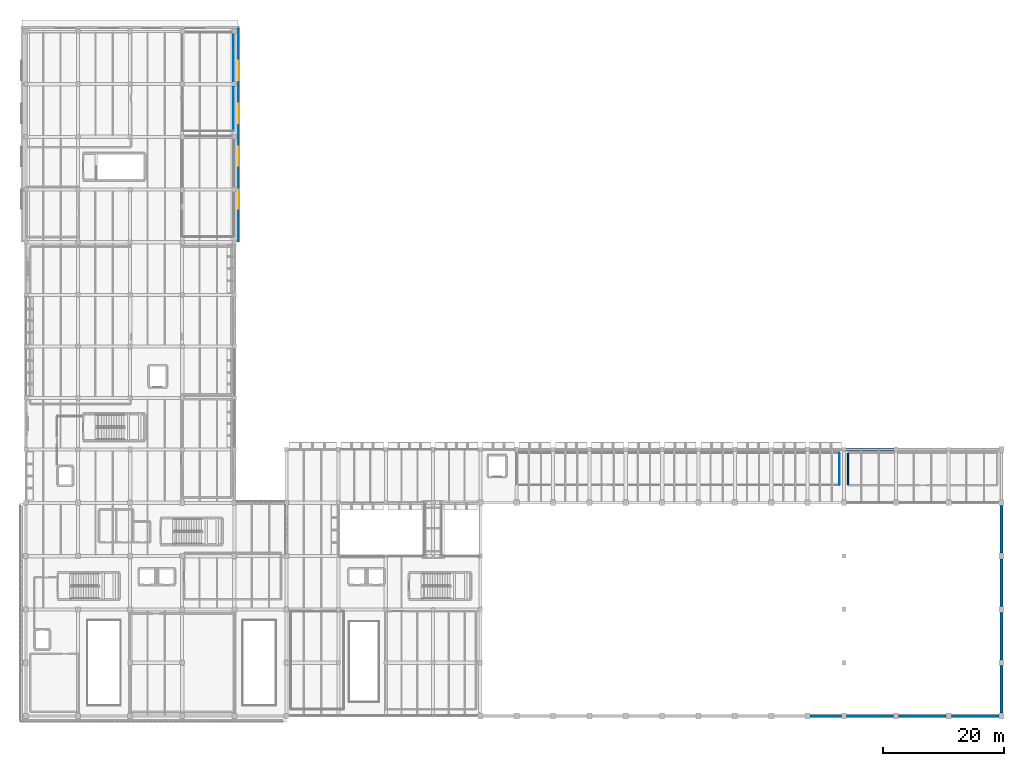
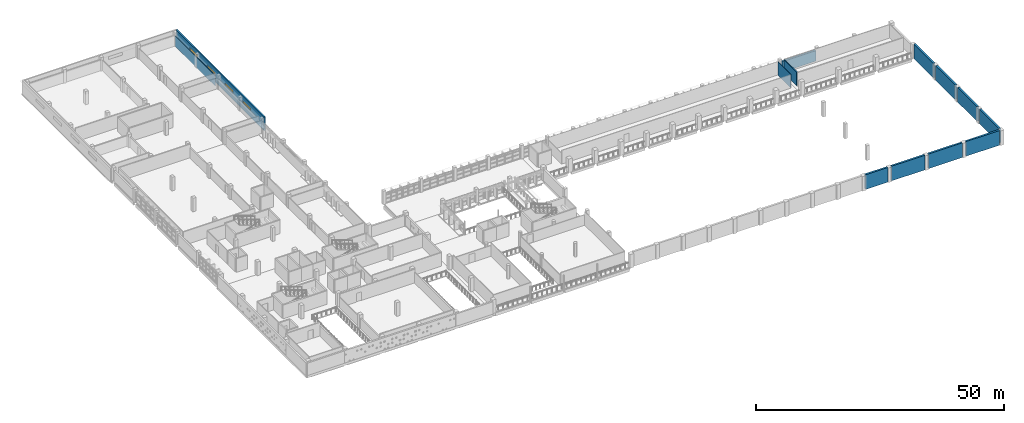
# One storey, part 63 of 75: 13 walls, 4 windows, 4 openings.
"""IFC4 building model written with IfcOpenShell, lengths in metres."""

import ifcopenshell
import ifcopenshell.guid

model = None  # the IFC model being written
_history = None  # IfcOwnerHistory: only IFC2X3 demands one
_inside = {}  # id of a spatial element -> (the spatial element, [elements in it])
_under = {}  # id of a project, library or spatial element -> (it, [spatial elements below it])
_declared = {}  # id of a project -> (the project, [libraries it declares])
_typed = {}  # id of a type object -> (the type object, [elements of that type])
_made_of = {}  # id of a material, layer set ... -> (it, [elements and type objects made of it])


def new_model(schema):
    """Start an empty IFC model of exactly this schema.

    Asked for "IFC4X3", IfcOpenShell would pick the latest addendum, in which some entities
    have other attributes; the version numbers below select the first issue.
    IFC2X3 requires an IfcOwnerHistory on every rooted entity: one is made here for all.
    """
    global model, _history
    if schema == "IFC4X3":
        model = ifcopenshell.file(schema_version=(4, 3, 0, 0))
    else:
        model = ifcopenshell.file(schema=schema)
    _inside.clear()
    _under.clear()
    _declared.clear()
    _typed.clear()
    _made_of.clear()
    _history = None
    if model.schema == "IFC2X3":
        org = make("IfcOrganization", Name="unknown")
        user = make(
            "IfcPersonAndOrganization",
            ThePerson=make("IfcPerson", FamilyName="unknown"),
            TheOrganization=org,
        )
        app = make(
            "IfcApplication",
            ApplicationDeveloper=org,
            Version="unknown",
            ApplicationFullName="unknown",
            ApplicationIdentifier="unknown",
        )
        _history = make(
            "IfcOwnerHistory",
            OwningUser=user,
            OwningApplication=app,
            ChangeAction="ADDED",
            CreationDate=0,
        )
    return model


def make(cls, **values):
    """One entity of the class cls with the attributes given. An attribute that is None is left unset."""
    return model.create_entity(
        cls, **{name: value for name, value in values.items() if value is not None}
    )


def rooted(cls, **values):
    """An entity with a GlobalId (a new one), such as an element, a storey or a relation."""
    return make(cls, GlobalId=ifcopenshell.guid.new(), OwnerHistory=_history, **values)


def si_unit(unit_type, name, prefix=None):
    """IfcSIUnit, for example si_unit("LENGTHUNIT", "METRE", prefix="MILLI")."""
    return make("IfcSIUnit", UnitType=unit_type, Prefix=prefix, Name=name)


def assignment(units):
    """IfcUnitAssignment: the units of a project."""
    return None if units is None else make("IfcUnitAssignment", Units=units)


def point(xyz):
    """IfcCartesianPoint."""
    return None if xyz is None else make("IfcCartesianPoint", Coordinates=xyz)


def direction(xyz):
    """IfcDirection."""
    return None if xyz is None else make("IfcDirection", DirectionRatios=xyz)


def frame(location, z_axis=None, x_axis=None):
    """IfcAxis2Placement3D, a coordinate frame: its origin and axes. An axis left out is left unset."""
    return make(
        "IfcAxis2Placement3D",
        Location=point(location),
        Axis=direction(z_axis),
        RefDirection=direction(x_axis),
    )


def frame_2d(location, x_axis=None):
    """IfcAxis2Placement2D, a coordinate frame in the plane: its origin and x axis."""
    return make(
        "IfcAxis2Placement2D", Location=point(location), RefDirection=direction(x_axis)
    )


def origin():
    """The frame at (0, 0, 0) with its axes left unset."""
    return frame((0.0, 0.0, 0.0))


def place(relative_to, where):
    """IfcLocalPlacement: puts the frame where relative to a parent placement (None: the world)."""
    return make(
        "IfcLocalPlacement", PlacementRelTo=relative_to, RelativePlacement=where
    )


def context(
    kind, dimensions, precision=None, world=None, true_north=None, identifier=None
):
    """IfcGeometricRepresentationContext, for example the 3D "Model" context."""
    return make(
        "IfcGeometricRepresentationContext",
        ContextIdentifier=identifier,
        ContextType=kind,
        CoordinateSpaceDimension=dimensions,
        Precision=precision,
        WorldCoordinateSystem=world,
        TrueNorth=true_north,
    )


def subcontext(parent, identifier, kind, view, scale=None):
    """IfcGeometricRepresentationSubContext, for example "Body" below "Model"."""
    return make(
        "IfcGeometricRepresentationSubContext",
        ContextIdentifier=identifier,
        ContextType=kind,
        ParentContext=parent,
        TargetScale=scale,
        TargetView=view,
    )


def project(units=None, contexts=None):
    """IfcProject with its units and contexts."""
    return rooted(
        "IfcProject",
        Name="project",
        RepresentationContexts=contexts,
        UnitsInContext=assignment(units),
    )


def spatial(cls, under=None, at=None, **own):
    """A site, building, storey or space (cls), placed at a placement, below another one or the project."""
    s = rooted(cls, ObjectPlacement=at, **own)
    if under is not None:
        _under.setdefault(under.id(), (under, []))[1].append(s)
    return s


def profile(cls, at=None, kind="AREA", **sizes):
    """A parametric profile (cls). Its sizes go by their IFC names, for example OverallWidth=200.0."""
    return make(cls, ProfileType=kind, Position=at, **sizes)


def rectangle(**sizes):
    """IfcRectangleProfileDef."""
    return profile("IfcRectangleProfileDef", **sizes)


def extrude(swept, where, along, depth):
    """IfcExtrudedAreaSolid: the profile swept, set in the frame where, extruded along a direction by depth."""
    return make(
        "IfcExtrudedAreaSolid",
        SweptArea=swept,
        Position=where,
        ExtrudedDirection=direction(along),
        Depth=depth,
    )


def shape(context_of_items, identifier, shape_type, items):
    """IfcShapeRepresentation: the items that make up one representation, for example the "Body"."""
    return make(
        "IfcShapeRepresentation",
        ContextOfItems=context_of_items,
        RepresentationIdentifier=identifier,
        RepresentationType=shape_type,
        Items=items,
    )


def material(Name=None, Category=None):
    """IfcMaterial."""
    return make("IfcMaterial", Name=Name, Category=Category)


def layer(
    of_material, thickness, ventilated=None, Name=None, Category=None, Priority=None
):
    """IfcMaterialLayer: one layer of a wall or slab, of a material (None: an air gap)."""
    return make(
        "IfcMaterialLayer",
        Material=of_material,
        LayerThickness=thickness,
        IsVentilated=ventilated,
        Name=Name,
        Category=Category,
        Priority=Priority,
    )


def layer_set(layers, Name=None):
    """IfcMaterialLayerSet."""
    return make("IfcMaterialLayerSet", MaterialLayers=layers, LayerSetName=Name)


def made_of(thing, what):
    """Note that an element or type object is made of a material, layer set ...; save() writes the relation."""
    if what is not None:
        _made_of.setdefault(what.id(), (what, []))[1].append(thing)
    return thing


def type_object(cls, material=None, **own):
    """A type object (cls), such as IfcWallType, which elements share."""
    return made_of(rooted(cls, **own), material)


def element(
    cls,
    number,
    at=None,
    inside=None,
    cuts=None,
    type_object=None,
    material=None,
    context=None,
    identifier="Body",
    shape_type=None,
    held_by="IfcProductDefinitionShape",
    body=None,
    shapes=None,
    **own,
):
    """One element of the class cls, such as IfcWall. Its Tag is "e" and its number.

    at: its placement. inside: the storey or other place that contains it. cuts: it is an
    opening in that element (IfcRelVoidsElement). A single representation is given by context,
    identifier, shape_type and body (its items); several are given by shapes. held_by: the class
    of the entity that holds the representations. save() writes the other relations.
    """
    e = rooted(cls, Tag="e%d" % number, ObjectPlacement=at, **own)
    if body is not None:
        shapes = [shape(context, identifier, shape_type, body)]
    if shapes is not None:
        e.Representation = make(held_by, Representations=shapes)
    if inside is not None:
        _inside.setdefault(inside.id(), (inside, []))[1].append(e)
    if cuts is not None:
        rooted(
            "IfcRelVoidsElement", RelatingBuildingElement=cuts, RelatedOpeningElement=e
        )
    if type_object is not None:
        _typed.setdefault(type_object.id(), (type_object, []))[1].append(e)
    return made_of(e, material)


def fill(opening, filler):
    """IfcRelFillsElement: the door or window that sits in an opening."""
    return rooted(
        "IfcRelFillsElement",
        RelatingOpeningElement=opening,
        RelatedBuildingElement=filler,
    )


def aggregate(whole, parts):
    """IfcRelAggregates: a whole, such as a stair, and the parts it consists of."""
    return rooted("IfcRelAggregates", RelatingObject=whole, RelatedObjects=parts)


def save(model, path):
    """Write the relations noted so far, then the file.

    IfcRelAggregates (storeys below a building ...), IfcRelContainedInSpatialStructure (elements
    in a storey), IfcRelDefinesByType, IfcRelAssociatesMaterial and IfcRelDeclares: one each for
    every whole, place, type object, material and project.
    """
    for whole, parts in _under.values():
        aggregate(whole, parts)
    for where, things in _inside.values():
        rooted(
            "IfcRelContainedInSpatialStructure",
            RelatedElements=things,
            RelatingStructure=where,
        )
    for kind, things in _typed.values():
        rooted("IfcRelDefinesByType", RelatedObjects=things, RelatingType=kind)
    for what, things in _made_of.values():
        rooted("IfcRelAssociatesMaterial", RelatedObjects=things, RelatingMaterial=what)
    for by, libraries in _declared.values():
        rooted("IfcRelDeclares", RelatingContext=by, RelatedDefinitions=libraries)
    model.write(path)


model = new_model("IFC4")

# Units and contexts
model_context = context("Model", 3, precision=1e-05, world=origin(), true_north=direction((0.0, 1.0)))
body_context = subcontext(model_context, "Body", "Model", "MODEL_VIEW")
ifc_project = project(units=[si_unit("LENGTHUNIT", "METRE"), si_unit("AREAUNIT", "SQUARE_METRE"), si_unit("VOLUMEUNIT", "CUBIC_METRE"), si_unit("PLANEANGLEUNIT", "RADIAN"), si_unit("MASSUNIT", "GRAM", prefix="KILO")], contexts=[model_context])

# Site, building, storey
site_placement = place(None, origin())
site = spatial("IfcSite", under=ifc_project, at=site_placement, CompositionType="ELEMENT")
building_placement = place(site_placement, origin())
building = spatial("IfcBuilding", under=site, at=building_placement, Name="Varnakota Cinema and Media Centre", CompositionType="ELEMENT")
storey_placement = place(building_placement, frame((0.0, 0.0, 8.39990234375)))
storey = spatial("IfcBuildingStorey", under=building, at=storey_placement, Name="L02", CompositionType="ELEMENT", Elevation=8.39990234375)

# Wall
ifc_material_1 = material(Name="Autoclaved aerated concrete blockwork", Category="masonry")
ifc_layer_1 = layer(ifc_material_1, 0.2099609375)
ifc_layer_set_1 = layer_set([ifc_layer_1], Name="Autoclaved aerated concrete blockwork")
wall_type_1 = type_object("IfcWallType", Name="W-ACOUST-210", PredefinedType="PARTITIONING", material=ifc_layer_set_1)
wall_1_placement = place(storey_placement, frame((135.695068359375, 38.199951171875, 0.0), z_axis=(0.0, 0.0, 1.0), x_axis=(0.0, 1.0, 0.0)))
element("IfcWall", 1, at=wall_1_placement, inside=storey, type_object=wall_type_1, Name="L02 RWALL-RM-L02-DIMMER W wall", PredefinedType="PARTITIONING", context=body_context, shape_type="SweptSolid", body=[
    extrude(rectangle(XDim=5.199951171875, YDim=0.2099609375, at=frame_2d((2.60009765625, 0.0))), origin(), (0.0, 0.0, 1.0), 3.320068359375),
])

# Wall, openings, windows
ifc_material_2 = material(Name="Concrete M40", Category="concrete")
ifc_layer_2 = layer(ifc_material_2, 0.31005859375)
ifc_layer_set_2 = layer_set([ifc_layer_2], Name="Concrete M40")
wall_type_2 = type_object("IfcWallType", Name="W-EXT-CONC-310", PredefinedType="SOLIDWALL", material=ifc_layer_set_2)
wall_2_placement = place(storey_placement, frame((35.06005859375, 78.199951171875, 0.0), z_axis=(0.0, 0.0, 1.0), x_axis=(0.0, 1.0, 0.0)))
wall_2 = element("IfcWall", 2, at=wall_2_placement, inside=storey, type_object=wall_type_2, Name="L02 V7 plain board-marked concrete wall V7-E", PredefinedType="SOLIDWALL", context=body_context, shape_type="SweptSolid", body=[
    extrude(rectangle(XDim=35.4599609375, YDim=0.31005859375, at=frame_2d((17.72998046875, 0.0))), origin(), (0.0, 0.0, 1.0), 3.340087890625),
])
opening_1_placement = place(wall_2_placement, frame((5.491943359375, 0.0, 1.550048828125)))
opening_1 = element("IfcOpeningElement", 3, at=opening_1_placement, cuts=wall_2, Name="Opening WR01", PredefinedType="OPENING", context=body_context, shape_type="SweptSolid", body=[
    extrude(rectangle(XDim=3.199951171875, YDim=0.699951171875, at=frame_2d((1.60009765625, 0.35009765625))), frame((0.0, 0.155029296875, 0.0), z_axis=(0.0, -1.0, 0.0), x_axis=(1.0, 0.0, 0.0)), (0.0, 0.0, 1.0), 0.31005859375),
])
opening_2_placement = place(wall_2_placement, frame((12.583984375, 0.0, 1.550048828125)))
opening_2 = element("IfcOpeningElement", 4, at=opening_2_placement, cuts=wall_2, Name="Opening WR01", PredefinedType="OPENING", context=body_context, shape_type="SweptSolid", body=[
    extrude(rectangle(XDim=3.199951171875, YDim=0.699951171875, at=frame_2d((1.60009765625, 0.35009765625))), frame((0.0, 0.155029296875, 0.0), z_axis=(0.0, -1.0, 0.0), x_axis=(1.0, 0.0, 0.0)), (0.0, 0.0, 1.0), 0.31005859375),
])
opening_3_placement = place(wall_2_placement, frame((19.676025390625, 0.0, 1.550048828125)))
opening_3 = element("IfcOpeningElement", 5, at=opening_3_placement, cuts=wall_2, Name="Opening WR01", PredefinedType="OPENING", context=body_context, shape_type="SweptSolid", body=[
    extrude(rectangle(XDim=3.199951171875, YDim=0.699951171875, at=frame_2d((1.60009765625, 0.35009765625))), frame((0.0, 0.155029296875, 0.0), z_axis=(0.0, -1.0, 0.0), x_axis=(1.0, 0.0, 0.0)), (0.0, 0.0, 1.0), 0.31005859375),
])
opening_4_placement = place(wall_2_placement, frame((26.76806640625, 0.0, 1.550048828125)))
opening_4 = element("IfcOpeningElement", 6, at=opening_4_placement, cuts=wall_2, Name="Opening WR01", PredefinedType="OPENING", context=body_context, shape_type="SweptSolid", body=[
    extrude(rectangle(XDim=3.199951171875, YDim=0.699951171875, at=frame_2d((1.60009765625, 0.35009765625))), frame((0.0, 0.155029296875, 0.0), z_axis=(0.0, -1.0, 0.0), x_axis=(1.0, 0.0, 0.0)), (0.0, 0.0, 1.0), 0.31005859375),
])
ifc_material_3 = material(Name="Laminated solar-control double glazing", Category="glass")
window_type = type_object("IfcWindowType", Name="WIN-SLOT-320x070", PartitioningType="SINGLE_PANEL", PredefinedType="WINDOW", material=ifc_material_3)
window_1_placement = place(opening_1_placement, origin())
window_1 = element("IfcWindow", 7, at=window_1_placement, inside=storey, type_object=window_type, Name="L02 window WR01", OverallHeight=0.699951171875, OverallWidth=3.199951171875, PartitioningType="SINGLE_PANEL", PredefinedType="WINDOW", context=body_context, shape_type="SweptSolid", body=[
    extrude(rectangle(XDim=3.199951171875, YDim=0.699951171875, at=frame_2d((1.60009765625, 0.35009765625))), frame((0.0, -0.06005859375, 0.0), z_axis=(0.0, -1.0, 0.0), x_axis=(1.0, 0.0, 0.0)), (0.0, 0.0, 1.0), 0.06005859375),
])
fill(opening_1, window_1)
window_2_placement = place(opening_2_placement, origin())
window_2 = element("IfcWindow", 8, at=window_2_placement, inside=storey, type_object=window_type, Name="L02 window WR01", OverallHeight=0.699951171875, OverallWidth=3.199951171875, PartitioningType="SINGLE_PANEL", PredefinedType="WINDOW", context=body_context, shape_type="SweptSolid", body=[
    extrude(rectangle(XDim=3.199951171875, YDim=0.699951171875, at=frame_2d((1.60009765625, 0.35009765625))), frame((0.0, -0.06005859375, 0.0), z_axis=(0.0, -1.0, 0.0), x_axis=(1.0, 0.0, 0.0)), (0.0, 0.0, 1.0), 0.06005859375),
])
fill(opening_2, window_2)
window_3_placement = place(opening_3_placement, origin())
window_3 = element("IfcWindow", 9, at=window_3_placement, inside=storey, type_object=window_type, Name="L02 window WR01", OverallHeight=0.699951171875, OverallWidth=3.199951171875, PartitioningType="SINGLE_PANEL", PredefinedType="WINDOW", context=body_context, shape_type="SweptSolid", body=[
    extrude(rectangle(XDim=3.199951171875, YDim=0.699951171875, at=frame_2d((1.60009765625, 0.35009765625))), frame((0.0, -0.06005859375, 0.0), z_axis=(0.0, -1.0, 0.0), x_axis=(1.0, 0.0, 0.0)), (0.0, 0.0, 1.0), 0.06005859375),
])
fill(opening_3, window_3)
window_4_placement = place(opening_4_placement, origin())
window_4 = element("IfcWindow", 10, at=window_4_placement, inside=storey, type_object=window_type, Name="L02 window WR01", OverallHeight=0.699951171875, OverallWidth=3.199951171875, PartitioningType="SINGLE_PANEL", PredefinedType="WINDOW", context=body_context, shape_type="SweptSolid", body=[
    extrude(rectangle(XDim=3.199951171875, YDim=0.699951171875, at=frame_2d((1.60009765625, 0.35009765625))), frame((0.0, -0.06005859375, 0.0), z_axis=(0.0, -1.0, 0.0), x_axis=(1.0, 0.0, 0.0)), (0.0, 0.0, 1.0), 0.06005859375),
])
fill(opening_4, window_4)

# Walls
ifc_material_4 = material(Name="Deccan grey granite ashlar", Category="masonry")
ifc_layer_3 = layer(ifc_material_4, 0.43994140625)
ifc_layer_set_3 = layer_set([ifc_layer_3], Name="Deccan grey granite ashlar")
wall_type_3 = type_object("IfcWallType", Name="W-EXT-HALL-440", PredefinedType="SOLIDWALL", material=ifc_layer_set_3)
wall_3_placement = place(storey_placement, frame((134.574951171875, 0.0, 0.0), z_axis=(0.0, 0.0, 1.0), x_axis=(-1.0, 0.0, 0.0)))
element("IfcWall", 11, at=wall_3_placement, inside=storey, type_object=wall_type_3, Name="L02 exterior wall V1-S-1", PredefinedType="SOLIDWALL", context=body_context, shape_type="SweptSolid", body=[
    extrude(rectangle(XDim=5.14990234375, YDim=0.43994140625, at=frame_2d((2.574951171875, 0.0))), origin(), (0.0, 0.0, 1.0), 3.60009765625),
])
wall_4_placement = place(storey_placement, frame((160.574951171875, 0.0, 0.0), z_axis=(0.0, 0.0, 1.0), x_axis=(-1.0, 0.0, 0.0)))
element("IfcWall", 12, at=wall_4_placement, inside=storey, type_object=wall_type_3, Name="L02 exterior wall V2-S-1", PredefinedType="SOLIDWALL", context=body_context, shape_type="SweptSolid", body=[
    extrude(rectangle(XDim=7.849853515625, YDim=0.43994140625, at=frame_2d((3.9248046875, 0.0))), origin(), (0.0, 0.0, 1.0), 3.60009765625),
])
wall_5_placement = place(storey_placement, frame((151.875, 0.0, 0.0), z_axis=(0.0, 0.0, 1.0), x_axis=(-1.0, 0.0, 0.0)))
element("IfcWall", 13, at=wall_5_placement, inside=storey, type_object=wall_type_3, Name="L02 exterior wall V2-S-2", PredefinedType="SOLIDWALL", context=body_context, shape_type="SweptSolid", body=[
    extrude(rectangle(XDim=7.85009765625, YDim=0.43994140625, at=frame_2d((3.925048828125, 0.0))), origin(), (0.0, 0.0, 1.0), 3.60009765625),
])
wall_6_placement = place(storey_placement, frame((143.175048828125, 0.0, 0.0), z_axis=(0.0, 0.0, 1.0), x_axis=(-1.0, 0.0, 0.0)))
element("IfcWall", 14, at=wall_6_placement, inside=storey, type_object=wall_type_3, Name="L02 exterior wall V2-S-3", PredefinedType="SOLIDWALL", context=body_context, shape_type="SweptSolid", body=[
    extrude(rectangle(XDim=7.75, YDim=0.43994140625, at=frame_2d((3.875, 0.0))), origin(), (0.0, 0.0, 1.0), 3.60009765625),
])
wall_7_placement = place(storey_placement, frame((161.0, 0.47509765625, 0.0), z_axis=(0.0, 0.0, 1.0), x_axis=(0.0, 1.0, 0.0)))
element("IfcWall", 15, at=wall_7_placement, inside=storey, type_object=wall_type_3, Name="L02 exterior wall V2-E-HALL-1", PredefinedType="SOLIDWALL", context=body_context, shape_type="SweptSolid", body=[
    extrude(rectangle(XDim=7.849853515625, YDim=0.43994140625, at=frame_2d((3.9248046875, 0.0))), origin(), (0.0, 0.0, 1.0), 3.60009765625),
])
for number, where, z_axis, x_axis, name in (
    (16, (161.0, 9.27490234375, 0.0), (0.0, 0.0, 1.0), (0.0, 1.0, 0.0), "L02 exterior wall V2-E-HALL-2"),
    (17, (161.0, 18.074951171875, 0.0), (0.0, 0.0, 1.0), (0.0, 1.0, 0.0), "L02 exterior wall V2-E-HALL-3"),
    (18, (161.0, 26.875, 0.0), (0.0, 0.0, 1.0), (0.0, 1.0, 0.0), "L02 exterior wall V2-E-HALL-4"),
):
    element("IfcWall", number, at=place(storey_placement, frame(where, z_axis=z_axis, x_axis=x_axis)), inside=storey, type_object=wall_type_3, Name=name, PredefinedType="SOLIDWALL", context=body_context, shape_type="SweptSolid", body=[
        extrude(rectangle(XDim=7.85009765625, YDim=0.43994140625, at=frame_2d((3.925048828125, 0.0))), origin(), (0.0, 0.0, 1.0), 3.60009765625),
    ])
wall_8_placement = place(storey_placement, frame((135.35009765625, 44.0, 0.0), z_axis=(0.0, 0.0, 1.0), x_axis=(1.0, 0.0, 0.0)))
element("IfcWall", 19, at=wall_8_placement, inside=storey, type_object=wall_type_3, Name="L02 exterior wall V2-N-1", PredefinedType="SOLIDWALL", context=body_context, shape_type="SweptSolid", body=[
    extrude(rectangle(XDim=7.9248046875, YDim=0.43994140625, at=frame_2d((3.96240234375, 0.0))), origin(), (0.0, 0.0, 1.0), 2.5751953125),
])
ifc_material_5 = material(Name="Autoclaved aerated concrete blockwork", Category="masonry")
ifc_layer_4 = layer(ifc_material_5, 0.110107421875)
ifc_layer_set_4 = layer_set([ifc_layer_4], Name="Autoclaved aerated concrete blockwork")
wall_type_4 = type_object("IfcWallType", Name="W-PART-110", PredefinedType="PARTITIONING", material=ifc_layer_set_4)
wall_9_placement = place(storey_placement, frame((134.2548828125, 43.39990234375, 0.0), z_axis=(0.0, 0.0, 1.0), x_axis=(0.0, -1.0, 0.0)))
element("IfcWall", 20, at=wall_9_placement, inside=storey, type_object=wall_type_4, Name="L02 RWALL-RM-L02-PROJ1 E wall", PredefinedType="PARTITIONING", context=body_context, shape_type="SweptSolid", body=[
    extrude(rectangle(XDim=5.199951171875, YDim=0.110107421875, at=frame_2d((2.60009765625, 0.0))), origin(), (0.0, 0.0, 1.0), 3.320068359375),
])
wall_10_placement = place(storey_placement, frame((34.2548828125, 112.800048828125, 0.0), z_axis=(0.0, 0.0, 1.0), x_axis=(0.0, -1.0, 0.0)))
element("IfcWall", 21, at=wall_10_placement, inside=storey, type_object=wall_type_4, Name="L02 RWALL-RM-L02-DOCED E wall", PredefinedType="PARTITIONING", context=body_context, shape_type="SweptSolid", body=[
    extrude(rectangle(XDim=16.199951171875, YDim=0.110107421875, at=frame_2d((8.10009765625, 0.0))), origin(), (0.0, 0.0, 1.0), 2.570068359375),
])

save(model, "model.ifc")
